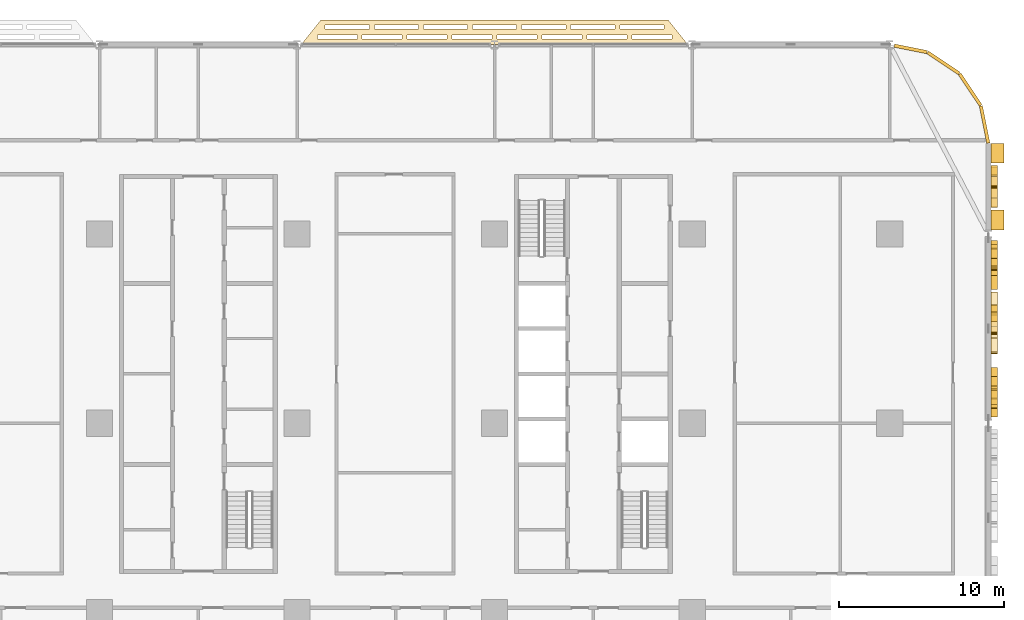
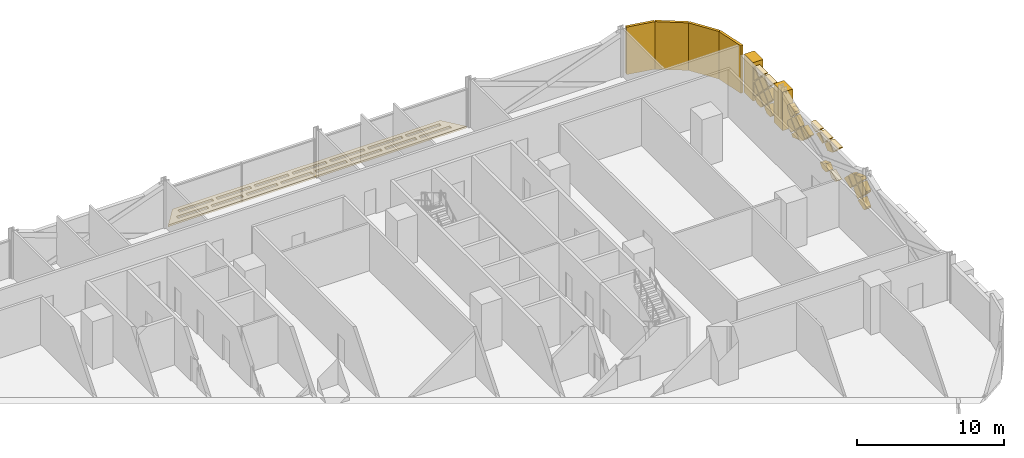
# One storey, part 26 of 26: 36 coverings.
"""IFC4 building model written with IfcOpenShell, lengths in metres."""

from ifc_helpers import new_model, si_unit, direction, frame, origin, origin_2d, place, context, subcontext, project, spatial, polyline, rectangle, outline, extrude, material, layer, layer_set, type_object, element, save


model = new_model("IFC4")

# Units and contexts
model_context = context("Model", 3, precision=1e-05, world=origin(), true_north=direction((0.0, 1.0)))
body_context = subcontext(model_context, "Body", "Model", "MODEL_VIEW")
ifc_project = project(units=[si_unit("LENGTHUNIT", "METRE"), si_unit("AREAUNIT", "SQUARE_METRE"), si_unit("VOLUMEUNIT", "CUBIC_METRE"), si_unit("PLANEANGLEUNIT", "RADIAN"), si_unit("MASSUNIT", "GRAM", prefix="KILO")], contexts=[model_context])

# Site, building, storey
site_placement = place(None, origin())
site = spatial("IfcSite", under=ifc_project, at=site_placement, CompositionType="ELEMENT")
building_placement = place(site_placement, origin())
building = spatial("IfcBuilding", under=site, at=building_placement, Name="Mahtab Terrace Research Tower", CompositionType="ELEMENT")
storey_placement = place(building_placement, frame((0.0, 0.0, 15.800048828125)))
storey = spatial("IfcBuildingStorey", under=building, at=storey_placement, Name="L03", CompositionType="ELEMENT", Elevation=15.800048828125)

# Coverings
ifc_material_1 = material(Name="Black aluminium cladding panel", Category="aluminium")
ifc_layer_1 = layer(ifc_material_1, 0.199951171875)
ifc_layer_set_1 = layer_set([ifc_layer_1], Name="Black metal corner cladding 200")
covering_type_1 = type_object("IfcCoveringType", Name="Black metal corner cladding 200", PredefinedType="CLADDING", material=ifc_layer_set_1)
for number, where, z_axis, x_axis, name in (
    (1, (46.89306640625, 20.26953125, 0.0), (0.0, 0.0, 1.0), (-0.555291490808, 0.831655794326, 0.0), "Corner cladding L03 0"),
    (2, (45.26953125, 21.89306640625, 0.0), (0.0, 0.0, 1.0), (-0.831655794326, 0.555291490808, 0.0), "Corner cladding L03 1"),
):
    element("IfcCovering", number, at=place(storey_placement, frame(where, z_axis=z_axis, x_axis=x_axis)), inside=storey, type_object=covering_type_1, Name=name, PredefinedType="CLADDING", context=body_context, shape_type="SweptSolid", body=[
        extrude(rectangle(XDim=2.30126953125, YDim=0.199951171875, at=origin_2d()), origin(), (0.0, 0.0, 1.0), 3.9599609375),
    ])
covering_1_placement = place(storey_placement, frame((43.28173828125, 22.744873046875, 0.0), z_axis=(0.0, 0.0, 1.0), x_axis=(-0.980760981187, 0.195212442692, 0.0)))
element("IfcCovering", 3, at=covering_1_placement, inside=storey, type_object=covering_type_1, Name="Corner cladding L03 2", PredefinedType="CLADDING", context=body_context, shape_type="SweptSolid", body=[
    extrude(rectangle(XDim=2.0283203125, YDim=0.199951171875, at=origin_2d()), origin(), (0.0, 0.0, 1.0), 3.9599609375),
])
covering_2_placement = place(storey_placement, frame((47.771484375, 18.14794921875, 0.0), z_axis=(0.0, 0.0, 1.0), x_axis=(-0.195212442692, 0.980760981187, 0.0)))
element("IfcCovering", 4, at=covering_2_placement, inside=storey, type_object=covering_type_1, Name="Corner cladding L03 37", PredefinedType="CLADDING", context=body_context, shape_type="SweptSolid", body=[
    extrude(rectangle(XDim=2.30126953125, YDim=0.199951171875, at=origin_2d()), origin(), (0.0, 0.0, 1.0), 3.9599609375),
])
ifc_material_2 = material(Name="Black anodised aluminium", Category="aluminium")
ifc_layer_2 = layer(ifc_material_2, 0.14990234375)
ifc_layer_set_2 = layer_set([ifc_layer_2], Name="Horizontal sunshade band")
covering_type_2 = type_object("IfcCoveringType", Name="Horizontal sunshade band", PredefinedType="CLADDING", material=ifc_layer_set_2)
covering_3_placement = place(storey_placement, frame((0.0, 0.0, -0.150146484375)))
element("IfcCovering", 5, at=covering_3_placement, inside=storey, type_object=covering_type_2, Name="Sunshade band L03 4", PredefinedType="CLADDING", context=body_context, shape_type="SweptSolid", body=[
    extrude(outline(polyline([(29.7509765625, 23.0), (6.2490234375, 23.0), (7.448974609375, 24.5), (28.551025390625, 24.5), (29.7509765625, 23.0)]), holes=[polyline([(28.77099609375, 23.35009765625), (26.341064453125, 23.35009765625), (26.341064453125, 23.60009765625), (28.77099609375, 23.60009765625), (28.77099609375, 23.35009765625)]), polyline([(26.041015625, 23.35009765625), (23.611083984375, 23.35009765625), (23.611083984375, 23.60009765625), (26.041015625, 23.60009765625), (26.041015625, 23.35009765625)]), polyline([(23.31103515625, 23.35009765625), (20.8798828125, 23.35009765625), (20.8798828125, 23.60009765625), (23.31103515625, 23.60009765625), (23.31103515625, 23.35009765625)]), polyline([(20.580078125, 23.35009765625), (18.14990234375, 23.35009765625), (18.14990234375, 23.60009765625), (20.580078125, 23.60009765625), (20.580078125, 23.35009765625)]), polyline([(17.85009765625, 23.35009765625), (15.419921875, 23.35009765625), (15.419921875, 23.60009765625), (17.85009765625, 23.60009765625), (17.85009765625, 23.35009765625)]), polyline([(15.1201171875, 23.35009765625), (12.68994140625, 23.35009765625), (12.68994140625, 23.60009765625), (15.1201171875, 23.60009765625), (15.1201171875, 23.35009765625)]), polyline([(12.389892578125, 23.35009765625), (9.958984375, 23.35009765625), (9.958984375, 23.60009765625), (12.389892578125, 23.60009765625), (12.389892578125, 23.35009765625)]), polyline([(9.658935546875, 23.35009765625), (7.22900390625, 23.35009765625), (7.22900390625, 23.60009765625), (9.658935546875, 23.60009765625), (9.658935546875, 23.35009765625)]), polyline([(28.291015625, 23.949951171875), (25.60791015625, 23.949951171875), (25.60791015625, 24.199951171875), (28.291015625, 24.199951171875), (28.291015625, 23.949951171875)]), polyline([(25.30810546875, 23.949951171875), (22.625, 23.949951171875), (22.625, 24.199951171875), (25.30810546875, 24.199951171875), (25.30810546875, 23.949951171875)]), polyline([(22.324951171875, 23.949951171875), (19.64208984375, 23.949951171875), (19.64208984375, 24.199951171875), (22.324951171875, 24.199951171875), (22.324951171875, 23.949951171875)]), polyline([(19.342041015625, 23.949951171875), (16.657958984375, 23.949951171875), (16.657958984375, 24.199951171875), (19.342041015625, 24.199951171875), (19.342041015625, 23.949951171875)]), polyline([(16.35791015625, 23.949951171875), (13.675048828125, 23.949951171875), (13.675048828125, 24.199951171875), (16.35791015625, 24.199951171875), (16.35791015625, 23.949951171875)]), polyline([(13.375, 23.949951171875), (10.69189453125, 23.949951171875), (10.69189453125, 24.199951171875), (13.375, 24.199951171875), (13.375, 23.949951171875)]), polyline([(10.39208984375, 23.949951171875), (7.708984375, 23.949951171875), (7.708984375, 24.199951171875), (10.39208984375, 24.199951171875), (10.39208984375, 23.949951171875)])]), origin(), (0.0, 0.0, 1.0), 0.150146484375),
])
ifc_material_3 = material(Name="Bronze anodised aluminium", Category="aluminium")
ifc_layer_3 = layer(ifc_material_3, 0.39990234375)
ifc_layer_set_3 = layer_set([ifc_layer_3], Name="Mashrabiya relief panel 400")
covering_type_3 = type_object("IfcCoveringType", Name="Mashrabiya relief panel 400", PredefinedType="CLADDING", material=ifc_layer_set_3)
covering_4_placement = place(storey_placement, frame((48.14990234375, 0.384033203125, 0.385009765625), z_axis=(-1.0, 0.0, 0.0), x_axis=(0.0, 0.0, 1.0)))
element("IfcCovering", 6, at=covering_4_placement, inside=storey, type_object=covering_type_3, Name="Mashrabiya lattice cell L03 E35.1", PredefinedType="CLADDING", context=body_context, shape_type="SweptSolid", body=[
    extrude(outline(polyline([(0.0, 0.0), (0.1298828125, 0.0), (0.64501953125, 0.514892578125), (0.06494140625, 1.094970703125), (0.0, 1.030029296875), (-0.25, 0.362060546875), (-0.25, 0.25), (0.0, 0.0)])), origin(), (0.0, 0.0, -1.0), 0.39990234375),
])
covering_5_placement = place(storey_placement, frame((48.14990234375, 0.89892578125, 2.329833984375), z_axis=(-1.0, 0.0, 0.0), x_axis=(0.0, 0.707255598772, -0.706957932274)))
element("IfcCovering", 7, at=covering_5_placement, inside=storey, type_object=covering_type_3, Name="Mashrabiya lattice cell L03 E35.2", PredefinedType="CLADDING", context=body_context, shape_type="SweptSolid", body=[
    extrude(outline(polyline([(0.0, 0.0), (0.8201817362875763, 0.0), (0.8200090664636573, 0.8203543334390104), (0.0916684182924955, 0.820028397344618), (-0.0001532662704735177, 0.7281680510197277), (0.0, 0.0)])), origin(), (0.0, 0.0, -1.0), 0.39990234375),
])
covering_6_placement = place(storey_placement, frame((48.14990234375, 1.549072265625, 1.679931640625), z_axis=(-1.0, 0.0, 0.0), x_axis=(0.0, 0.706957932274, -0.707255598772)))
element("IfcCovering", 8, at=covering_6_placement, inside=storey, type_object=covering_type_3, Name="Mashrabiya lattice cell L03 E35.3", PredefinedType="CLADDING", context=body_context, shape_type="SweptSolid", body=[
    extrude(outline(polyline([(0.0, 0.0), (0.8201817362875763, 0.0), (0.8203543334390104, 0.8200090664636573), (0.00017266982391900276, 0.8203543334390104), (0.0, 0.0)])), origin(), (0.0, 0.0, -1.0), 0.39990234375),
])
covering_7_placement = place(storey_placement, frame((48.14990234375, 1.549072265625, 1.820068359375), z_axis=(-1.0, 0.0, 0.0), x_axis=(0.0, -0.707255598772, 0.706957932274)))
element("IfcCovering", 9, at=covering_7_placement, inside=storey, type_object=covering_type_3, Name="Mashrabiya lattice cell L03 E35.4", PredefinedType="CLADDING", context=body_context, shape_type="SweptSolid", body=[
    extrude(outline(polyline([(0.0, 0.0), (0.8201817362875763, 0.0), (0.8201287580461467, 0.2516996250324237), (-0.00013153719751402004, 0.6249332253891452), (0.0, 0.0)])), origin(), (0.0, 0.0, -1.0), 0.39990234375),
])
covering_8_placement = place(storey_placement, frame((48.14990234375, 2.779052734375, 1.75), z_axis=(-1.0, 0.0, 0.0), x_axis=(0.0, -0.707106781187, -0.707106781187)))
element("IfcCovering", 10, at=covering_8_placement, inside=storey, type_object=covering_type_3, Name="Mashrabiya lattice cell L03 E35.5", PredefinedType="CLADDING", context=body_context, shape_type="SweptSolid", body=[
    extrude(outline(polyline([(0.0, 0.0), (0.8203543516109556, 0.0), (0.8203543516109556, 0.8203543516109556), (0.1500185041140405, 0.820181718119455), (0.00017263349150062335, 0.49217808426827325), (0.0, 0.0)])), origin(), (0.0, 0.0, -1.0), 0.39990234375),
])
covering_9_placement = place(storey_placement, frame((48.14990234375, 2.26904296875, 1.099853515625), z_axis=(-1.0, 0.0, 0.0), x_axis=(0.0, 0.707106781187, 0.707106781187)))
element("IfcCovering", 11, at=covering_9_placement, inside=storey, type_object=covering_type_3, Name="Mashrabiya lattice cell L03 E35.6", PredefinedType="CLADDING", context=body_context, shape_type="SweptSolid", body=[
    extrude(outline(polyline([(0.0, 0.0), (0.8203543516109556, 0.0), (0.820181718119455, 0.7804760150743119), (0.0, 0.4070697729584666), (0.0, 0.0)])), origin(), (0.0, 0.0, -1.0), 0.39990234375),
])
covering_10_placement = place(storey_placement, frame((48.14990234375, 4.339111328125, 0.329833984375), z_axis=(-1.0, 0.0, 0.0), x_axis=(0.0, 0.936939642646, 0.349491210244)))
element("IfcCovering", 12, at=covering_10_placement, inside=storey, type_object=covering_type_3, Name="Mashrabiya lattice cell L03 E35.7", PredefinedType="CLADDING", context=body_context, shape_type="SweptSolid", body=[
    extrude(outline(polyline([(0.0, 0.0), (0.9018411268612947, 0.0), (1.0162049837573561, 0.2508566309202513), (0.6110546419046019, 0.4358684663201832), (0.11444918189856254, 0.2506278858903084), (0.0, 0.0)])), origin(), (0.0, 0.0, -1.0), 0.39990234375),
])
covering_11_placement = place(storey_placement, frame((48.14990234375, 5.37890625, 3.050048828125), z_axis=(-1.0, 0.0, 0.0), x_axis=(0.0, -0.706957932274, -0.707255598772)))
element("IfcCovering", 13, at=covering_11_placement, inside=storey, type_object=covering_type_3, Name="Mashrabiya lattice cell L03 E35.8", PredefinedType="CLADDING", context=body_context, shape_type="SweptSolid", body=[
    extrude(outline(polyline([(0.0, 0.0), (0.8201817362875763, 0.0), (0.8200090664636573, 0.8203543334390104), (0.7946319801114454, 0.8201763585237), (-5.30509139145055e-06, 0.02520448920077768), (0.0, 0.0)])), origin(), (0.0, 0.0, -1.0), 0.39990234375),
])
covering_12_placement = place(storey_placement, frame((48.14990234375, 4.868896484375, 2.39990234375), z_axis=(-1.0, 0.0, 0.0), x_axis=(0.0, 0.707106781187, 0.707106781187)))
element("IfcCovering", 14, at=covering_12_placement, inside=storey, type_object=covering_type_3, Name="Mashrabiya lattice cell L03 E35.9", PredefinedType="CLADDING", context=body_context, shape_type="SweptSolid", body=[
    extrude(outline(polyline([(0.0, 0.0), (0.8203543516109556, 0.0), (0.8203543516109556, 0.8203543516109556), (0.30694234788810587, 0.8203543516109555), (0.0, 0.14570266682652494), (0.0, 0.0)])), origin(), (0.0, 0.0, -1.0), 0.39990234375),
])
covering_13_placement = place(storey_placement, frame((48.14990234375, 5.51904296875, 0.449951171875), z_axis=(-1.0, 0.0, 0.0), x_axis=(0.0, 0.707106781187, 0.707106781187)))
element("IfcCovering", 15, at=covering_13_placement, inside=storey, type_object=covering_type_3, Name="Mashrabiya lattice cell L03 E35.10", PredefinedType="CLADDING", context=body_context, shape_type="SweptSolid", body=[
    extrude(outline(polyline([(0.0, 0.0), (0.5075424650118285, 0.0), (0.820181718119455, 0.685872861731971), (0.820181718119455, 0.820181718119455), (0.3747873100478503, 0.8201817181194551), (0.0, 0.4453944080716047), (0.0, 0.0)])), origin(), (0.0, 0.0, -1.0), 0.39990234375),
])
covering_14_placement = place(storey_placement, frame((48.14990234375, 6.678955078125, 3.050048828125), z_axis=(-1.0, 0.0, 0.0), x_axis=(0.0, -0.706957932274, -0.707255598772)))
element("IfcCovering", 16, at=covering_14_placement, inside=storey, type_object=covering_type_3, Name="Mashrabiya lattice cell L03 E35.11", PredefinedType="CLADDING", context=body_context, shape_type="SweptSolid", body=[
    extrude(outline(polyline([(0.0, 0.0), (0.8201817362875763, 0.0), (0.8200090664636573, 0.8203543334390104), (0.7946319801114454, 0.8201763585237), (0.00016729206004270115, 0.025377159024696644), (0.0, 0.0)])), origin(), (0.0, 0.0, -1.0), 0.39990234375),
])
covering_15_placement = place(storey_placement, frame((48.14990234375, 6.1689453125, 2.39990234375), z_axis=(-1.0, 0.0, 0.0), x_axis=(0.0, 0.707106781187, 0.707106781187)))
element("IfcCovering", 17, at=covering_15_placement, inside=storey, type_object=covering_type_3, Name="Mashrabiya lattice cell L03 E35.12", PredefinedType="CLADDING", context=body_context, shape_type="SweptSolid", body=[
    extrude(outline(polyline([(0.0, 0.0), (0.8203543516109556, 0.0), (0.8203543516109556, 0.6180278995722267), (0.00017263349150062335, 0.24462165745638131), (0.0, 0.0)])), origin(), (0.0, 0.0, -1.0), 0.39990234375),
])
covering_16_placement = place(storey_placement, frame((48.14990234375, 6.819091796875, 3.050048828125), z_axis=(-1.0, 0.0, 0.0), x_axis=(0.0, 0.707106781187, 0.707106781187)))
element("IfcCovering", 18, at=covering_16_placement, inside=storey, type_object=covering_type_3, Name="Mashrabiya lattice cell L03 E35.13", PredefinedType="CLADDING", context=body_context, shape_type="SweptSolid", body=[
    extrude(outline(polyline([(0.0, 0.0), (0.025204489759090808, 0.0), (0.8200090846279544, 0.7948045948688636), (0.820181718119455, 0.820181718119455), (0.3449217160182427, 0.8203543516109555), (0.0, 0.6632578743453896), (0.0, 0.0)])), origin(), (0.0, 0.0, -1.0), 0.39990234375),
])
covering_17_placement = place(storey_placement, frame((48.14990234375, 9.279052734375, 1.75), z_axis=(-1.0, 0.0, 0.0), x_axis=(0.0, -0.707106781187, -0.707106781187)))
element("IfcCovering", 19, at=covering_17_placement, inside=storey, type_object=covering_type_3, Name="Mashrabiya lattice cell L03 E35.14", PredefinedType="CLADDING", context=body_context, shape_type="SweptSolid", body=[
    extrude(outline(polyline([(0.0, 0.0), (0.8203543516109556, 0.0), (0.8203543516109555, 0.8131037449679295), (0.0, 0.4384890684115798), (0.0, 0.0)])), origin(), (0.0, 0.0, -1.0), 0.39990234375),
])
covering_18_placement = place(storey_placement, frame((48.14990234375, 8.76904296875, 1.099853515625), z_axis=(-1.0, 0.0, 0.0), x_axis=(0.0, 0.707106781187, 0.707106781187)))
element("IfcCovering", 20, at=covering_18_placement, inside=storey, type_object=covering_type_3, Name="Mashrabiya lattice cell L03 E35.15", PredefinedType="CLADDING", context=body_context, shape_type="SweptSolid", body=[
    extrude(outline(polyline([(0.0, 0.0), (0.8203543516109556, 0.0), (0.820181718119455, 0.820181718119455), (0.14432159889451995, 0.8200090846279544), (0.0, 0.5033992612158137), (0.0, 0.0)])), origin(), (0.0, 0.0, -1.0), 0.39990234375),
])
covering_19_placement = place(storey_placement, frame((48.14990234375, 9.9990234375, 1.030029296875), z_axis=(-1.0, 0.0, 0.0), x_axis=(0.0, 0.707106781187, -0.707106781187)))
element("IfcCovering", 21, at=covering_19_placement, inside=storey, type_object=covering_type_3, Name="Mashrabiya lattice cell L03 E35.16", PredefinedType="CLADDING", context=body_context, shape_type="SweptSolid", body=[
    extrude(outline(polyline([(0.0, 0.0), (0.8203543516109556, 0.0), (0.820181718119455, 0.2573965358274274), (0.0, 0.6308027779432727), (0.0, 0.0)])), origin(), (0.0, 0.0, -1.0), 0.39990234375),
])
covering_20_placement = place(storey_placement, frame((48.14990234375, 9.9990234375, 2.329833984375), z_axis=(-1.0, 0.0, 0.0), x_axis=(0.0, 0.707255598772, -0.706957932274)))
element("IfcCovering", 22, at=covering_20_placement, inside=storey, type_object=covering_type_3, Name="Mashrabiya lattice cell L03 E35.17", PredefinedType="CLADDING", context=body_context, shape_type="SweptSolid", body=[
    extrude(outline(polyline([(0.0, 0.0), (0.8201817362875763, 0.0), (0.8200090664636573, 0.8203543334390104), (-0.0003452669753531423, 0.8201816636150915), (0.0, 0.0)])), origin(), (0.0, 0.0, -1.0), 0.39990234375),
])
covering_21_placement = place(storey_placement, frame((48.14990234375, 10.64892578125, 0.52001953125), z_axis=(-1.0, 0.0, 0.0), x_axis=(0.0, -0.707106781187, 0.707106781187)))
element("IfcCovering", 23, at=covering_21_placement, inside=storey, type_object=covering_type_3, Name="Mashrabiya lattice cell L03 E35.18", PredefinedType="CLADDING", context=body_context, shape_type="SweptSolid", body=[
    extrude(outline(polyline([(0.0, 0.0), (0.8200090846279543, 0.0), (0.820181718119455, 0.820181718119455), (0.1596859796380753, 0.820181718119455), (0.0, 0.6604957384813797), (0.0, 0.0)])), origin(), (0.0, 0.0, -1.0), 0.39990234375),
])
covering_22_placement = place(storey_placement, frame((48.14990234375, 10.64892578125, 1.820068359375), z_axis=(-1.0, 0.0, 0.0), x_axis=(0.0, -0.707106781187, 0.707106781187)))
element("IfcCovering", 24, at=covering_22_placement, inside=storey, type_object=covering_type_3, Name="Mashrabiya lattice cell L03 E35.19", PredefinedType="CLADDING", context=body_context, shape_type="SweptSolid", body=[
    extrude(outline(polyline([(0.0, 0.0), (0.8200090846279543, 0.0), (0.8200090846279544, 0.16262074899358586), (0.5203173433828746, 0.8203543516109556), (0.1596859796380753, 0.820181718119455), (-0.0001726334915006511, 0.660323104989879), (0.0, 0.0)])), origin(), (0.0, 0.0, -1.0), 0.39990234375),
])
covering_23_placement = place(storey_placement, frame((48.14990234375, 13.118896484375, 0.449951171875), z_axis=(-1.0, 0.0, 0.0), x_axis=(0.0, 0.707106781187, 0.707106781187)))
element("IfcCovering", 25, at=covering_23_placement, inside=storey, type_object=covering_type_3, Name="Mashrabiya lattice cell L03 E36.1", PredefinedType="CLADDING", context=body_context, shape_type="SweptSolid", body=[
    extrude(outline(polyline([(0.0, 0.0), (0.8203543516109556, 0.0), (0.8203543516109556, 0.8203543516109556), (0.37495994353935086, 0.8203543516109555), (0.00017263349150062335, 0.44556704156310534), (0.0, 0.0)])), origin(), (0.0, 0.0, -1.0), 0.39990234375),
])
covering_24_placement = place(storey_placement, frame((48.14990234375, 13.698974609375, 2.329833984375), z_axis=(-1.0, 0.0, 0.0), x_axis=(0.0, 0.707255598772, -0.706957932274)))
element("IfcCovering", 26, at=covering_24_placement, inside=storey, type_object=covering_type_3, Name="Mashrabiya lattice cell L03 E36.2", PredefinedType="CLADDING", context=body_context, shape_type="SweptSolid", body=[
    extrude(outline(polyline([(0.0, 0.0), (0.8201817362875763, 0.0), (0.8200090664636573, 0.8203543334390104), (-0.0003452669753531423, 0.8201816636150915), (0.0, 0.0)])), origin(), (0.0, 0.0, -1.0), 0.39990234375),
])
covering_25_placement = place(storey_placement, frame((48.14990234375, 14.279052734375, 3.050048828125), z_axis=(-1.0, 0.0, 0.0), x_axis=(0.0, -0.707106781187, -0.707106781187)))
element("IfcCovering", 27, at=covering_25_placement, inside=storey, type_object=covering_type_3, Name="Mashrabiya lattice cell L03 E36.3", PredefinedType="CLADDING", context=body_context, shape_type="SweptSolid", body=[
    extrude(outline(polyline([(0.0, 0.0), (0.8203543516109556, 0.0), (0.8203543516109556, 0.8203543516109556), (0.7949772283603641, 0.820181718119455), (0.00017263349150062161, 0.02537712325059143), (0.0, 0.0)])), origin(), (0.0, 0.0, -1.0), 0.39990234375),
])
for number, where, z_axis, x_axis, name in (
    (28, (48.14990234375, 14.34912109375, 1.679931640625), (-1.0, 0.0, 0.0), (0.0, 0.706957932274, -0.707255598772), "Mashrabiya lattice cell L03 E36.4"),
    (29, (48.14990234375, 14.34912109375, 2.97998046875), (-1.0, 0.0, 0.0), (0.0, 0.706957932274, -0.707255598772), "Mashrabiya lattice cell L03 E36.5"),
):
    element("IfcCovering", number, at=place(storey_placement, frame(where, z_axis=z_axis, x_axis=x_axis)), inside=storey, type_object=covering_type_3, Name=name, PredefinedType="CLADDING", context=body_context, shape_type="SweptSolid", body=[
        extrude(outline(polyline([(0.0, 0.0), (0.8201817362875763, 0.0), (0.8203543334390104, 0.8200090664636573), (0.00017266982391900276, 0.8203543334390104), (0.0, 0.0)])), origin(), (0.0, 0.0, -1.0), 0.39990234375),
    ])
covering_26_placement = place(storey_placement, frame((48.14990234375, 14.4189453125, 0.449951171875), z_axis=(-1.0, 0.0, 0.0), x_axis=(0.0, 0.707106781187, 0.707106781187)))
element("IfcCovering", 30, at=covering_26_placement, inside=storey, type_object=covering_type_3, Name="Mashrabiya lattice cell L03 E36.6", PredefinedType="CLADDING", context=body_context, shape_type="SweptSolid", body=[
    extrude(outline(polyline([(0.0, 0.0), (0.8203543516109556, 0.0), (0.8203543516109556, 0.8203543516109556), (0.3747873100478503, 0.8201817181194551), (0.0, 0.4453944080716047), (0.0, 0.0)])), origin(), (0.0, 0.0, -1.0), 0.39990234375),
])
covering_27_placement = place(storey_placement, frame((48.14990234375, 14.9990234375, 2.329833984375), z_axis=(-1.0, 0.0, 0.0), x_axis=(0.0, 0.707255598772, -0.706957932274)))
element("IfcCovering", 31, at=covering_27_placement, inside=storey, type_object=covering_type_3, Name="Mashrabiya lattice cell L03 E36.7", PredefinedType="CLADDING", context=body_context, shape_type="SweptSolid", body=[
    extrude(outline(polyline([(0.0, 0.0), (0.8201817362875763, 0.0), (0.8200090664636573, 0.8203543334390104), (-0.0003452669753531423, 0.8201816636150915), (0.0, 0.0)])), origin(), (0.0, 0.0, -1.0), 0.39990234375),
])
covering_28_placement = place(storey_placement, frame((48.14990234375, 15.5791015625, 3.050048828125), z_axis=(-1.0, 0.0, 0.0), x_axis=(0.0, -0.707106781187, -0.707106781187)))
element("IfcCovering", 32, at=covering_28_placement, inside=storey, type_object=covering_type_3, Name="Mashrabiya lattice cell L03 E36.8", PredefinedType="CLADDING", context=body_context, shape_type="SweptSolid", body=[
    extrude(outline(polyline([(0.0, 0.0), (0.8203543516109556, 0.0), (0.8203543516109556, 0.8203543516109556), (0.7949772283603641, 0.820181718119455), (0.00017263349150062161, 0.02537712325059143), (0.0, 0.0)])), origin(), (0.0, 0.0, -1.0), 0.39990234375),
])
covering_29_placement = place(storey_placement, frame((48.14990234375, 15.64892578125, 0.52001953125), z_axis=(-1.0, 0.0, 0.0), x_axis=(0.0, -0.707106781187, 0.707106781187)))
element("IfcCovering", 33, at=covering_29_placement, inside=storey, type_object=covering_type_3, Name="Mashrabiya lattice cell L03 E36.9", PredefinedType="CLADDING", context=body_context, shape_type="SweptSolid", body=[
    extrude(outline(polyline([(0.0, 0.0), (0.8200090846279543, 0.0), (0.820181718119455, 0.820181718119455), (0.7975667307328734, 0.8203543516109556), (-0.00017263349150062161, 0.022614987386581478), (0.0, 0.0)])), origin(), (0.0, 0.0, -1.0), 0.39990234375),
])
covering_30_placement = place(storey_placement, frame((48.14990234375, 15.64892578125, 1.820068359375), z_axis=(-1.0, 0.0, 0.0), x_axis=(0.0, -0.707106781187, 0.707106781187)))
element("IfcCovering", 34, at=covering_30_placement, inside=storey, type_object=covering_type_3, Name="Mashrabiya lattice cell L03 E36.10", PredefinedType="CLADDING", context=body_context, shape_type="SweptSolid", body=[
    extrude(outline(polyline([(0.0, 0.0), (0.8200090846279543, 0.0), (0.820181718119455, 0.820181718119455), (0.7973940972413728, 0.820181718119455), (-0.00017263349150062161, 0.022614987386581478), (0.0, 0.0)])), origin(), (0.0, 0.0, -1.0), 0.39990234375),
])
ifc_material_4 = material(Name="Glazed ceramic tile cladding", Category="masonry")
ifc_layer_4 = layer(ifc_material_4, 0.800048828125)
ifc_layer_set_4 = layer_set([ifc_layer_4], Name="Pishtaq frame pier 800")
covering_type_4 = type_object("IfcCoveringType", Name="Pishtaq frame pier 800", PredefinedType="CLADDING", material=ifc_layer_set_4)
for number, where, z_axis, x_axis, name in (
    (35, (48.550048828125, 12.34912109375, 0.00048828125), (0.0, 0.0, 1.0), (0.0, 1.0, 0.0), "Pishtaq frame pier 36a"),
    (36, (48.550048828125, 16.39990234375, 0.00048828125), (0.0, 0.0, 1.0), (0.0, 1.0, 0.0), "Pishtaq frame pier 36b"),
):
    element("IfcCovering", number, at=place(storey_placement, frame(where, z_axis=z_axis, x_axis=x_axis)), inside=storey, type_object=covering_type_4, Name=name, PredefinedType="CLADDING", context=body_context, shape_type="SweptSolid", body=[
        extrude(rectangle(XDim=1.199951171875, YDim=0.800048828125, at=origin_2d()), origin(), (0.0, 0.0, 1.0), 3.202880859375),
    ])

save(model, "model.ifc")
